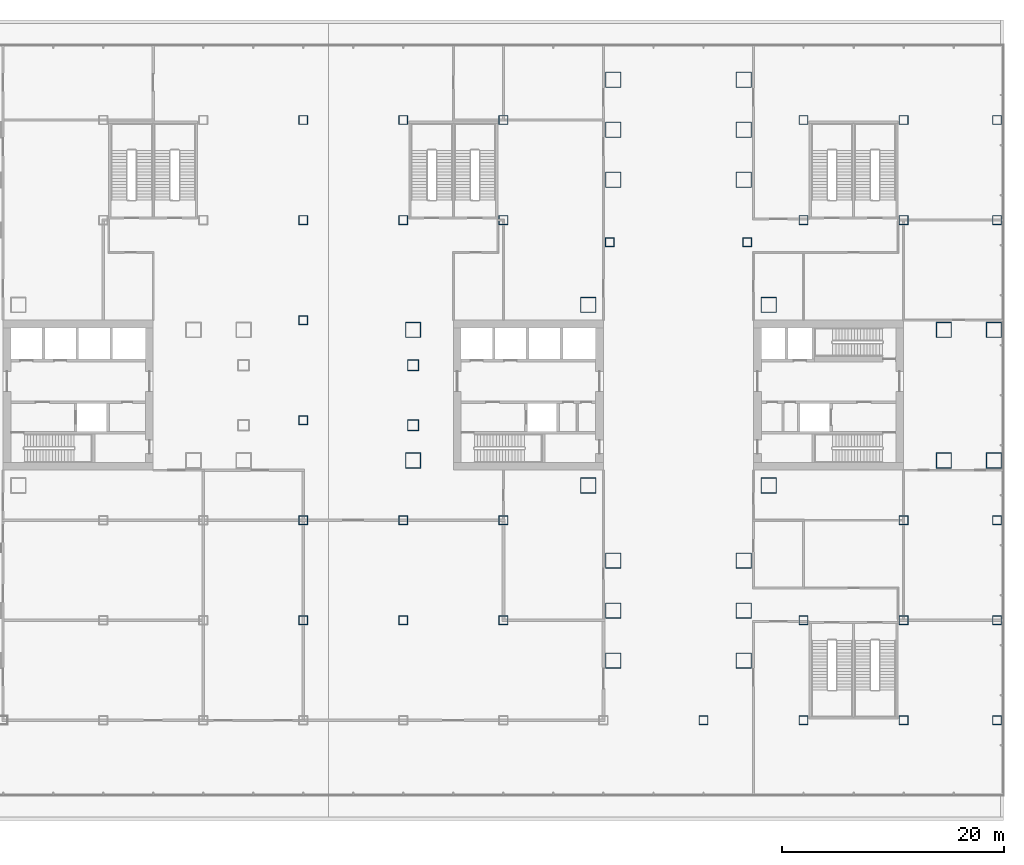
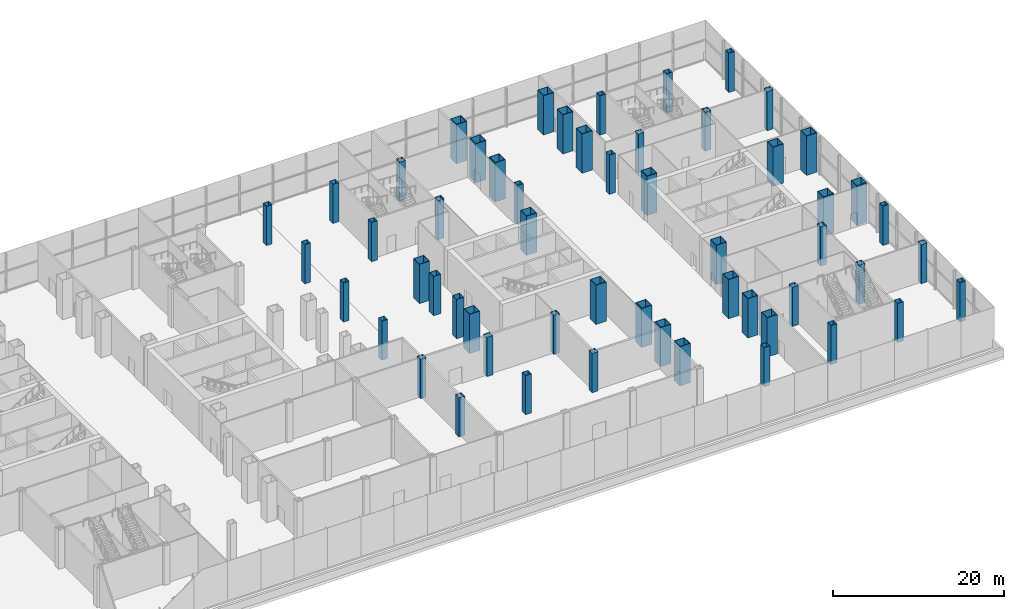
# One storey, part 2 of 38: 55 columns.
"""IFC4 building model written with IfcOpenShell, lengths in metres."""

from ifc_helpers import new_model, si_unit, direction, frame, origin, origin_2d, place, context, subcontext, project, spatial, hollow_rectangle, extrude, material, material_profile, profile_set, type_object, element, save


model = new_model("IFC4")

# Units and contexts
model_context = context("Model", 3, precision=1e-05, world=origin(), true_north=direction((0.0, 1.0)))
body_context = subcontext(model_context, "Body", "Model", "MODEL_VIEW")
ifc_project = project(units=[si_unit("LENGTHUNIT", "METRE"), si_unit("AREAUNIT", "SQUARE_METRE"), si_unit("VOLUMEUNIT", "CUBIC_METRE"), si_unit("PLANEANGLEUNIT", "RADIAN"), si_unit("MASSUNIT", "GRAM", prefix="KILO")], contexts=[model_context])

# Site, building, storey
site_placement = place(None, origin())
site = spatial("IfcSite", under=ifc_project, at=site_placement, CompositionType="ELEMENT")
building_placement = place(site_placement, origin())
building = spatial("IfcBuilding", under=site, at=building_placement, Name="Shamsa Quay Exchange Towers", CompositionType="ELEMENT")
storey_placement = place(building_placement, frame((0.0, 0.0, 12.5)))
storey = spatial("IfcBuildingStorey", under=building, at=storey_placement, Name="L02", CompositionType="ELEMENT", Elevation=12.5)

# Columns
ifc_material_1 = material(Name="Concrete-filled steel tube S355 / C80/95", Category="concrete")
ifc_material_profile_1 = material_profile(ifc_material_1, hollow_rectangle(XDim=1.39990234375, YDim=1.39990234375, WallThickness=0.06005859375, at=origin_2d()), Name="CFT 1400x1400x60")
ifc_profile_set_1 = profile_set([ifc_material_profile_1], Name="Concrete-filled steel tube S355 / C80/95")
column_type_1 = type_object("IfcColumnType", Name="Column CFT 1400x1400x60", PredefinedType="COLUMN", material=ifc_profile_set_1)
for number, where, name in (
    (1, (25.625, 8.125, 0.0), "Mega column T2-CM01"),
    (2, (41.875, 8.125, 0.0), "Mega column T2-CM02"),
    (3, (25.625, -8.125, 0.0), "Mega column T2-CM03"),
    (4, (41.875, -8.125, 0.0), "Mega column T2-CM04"),
    (5, (39.625, 19.375, 0.0), "Mega column T2-CM06"),
    (6, (39.625, 23.875, 0.0), "Mega column T2-CM07"),
    (7, (39.625, 28.375, 0.0), "Mega column T2-CM08"),
    (8, (27.875, 19.375, 0.0), "Mega column T2-CM10"),
    (9, (27.875, 23.875, 0.0), "Mega column T2-CM11"),
    (10, (27.875, 28.375, 0.0), "Mega column T2-CM12"),
    (11, (39.625, -14.875, 0.0), "Mega column T2-CM13"),
    (12, (39.625, -19.375, 0.0), "Mega column T2-CM14"),
    (13, (39.625, -23.875, 0.0), "Mega column T2-CM15"),
    (14, (27.875, -14.875, 0.0), "Mega column T2-CM16"),
    (15, (27.875, -19.375, 0.0), "Mega column T2-CM17"),
    (16, (27.875, -23.875, 0.0), "Mega column T2-CM18"),
    (17, (9.875, -5.875, 0.0), "Mega column T2-CM19"),
    (18, (9.875, 5.875, 0.0), "Mega column T2-CM20"),
    (19, (57.625, -5.875, 0.0), "Mega column T2-CM21"),
    (20, (62.125, -5.875, 0.0), "Mega column T2-CM22"),
    (21, (57.625, 5.875, 0.0), "Mega column T2-CM23"),
    (22, (62.125, 5.875, 0.0), "Mega column T2-CM24"),
):
    element("IfcColumn", number, at=place(storey_placement, frame(where)), inside=storey, type_object=column_type_1, Name=name, PredefinedType="COLUMN", context=body_context, shape_type="SweptSolid", body=[
        extrude(hollow_rectangle(XDim=1.39990234375, YDim=1.39990234375, WallThickness=0.06005859375, at=origin_2d()), origin(), (0.0, 0.0, 1.0), 5.60009765625),
    ])
ifc_material_2 = material(Name="Concrete-filled steel tube S355 / C60/75", Category="concrete")
ifc_material_profile_2 = material_profile(ifc_material_2, hollow_rectangle(XDim=0.800048828125, YDim=0.800048828125, WallThickness=0.030029296875, at=origin_2d()), Name="CFT 800x800x30")
ifc_profile_set_2 = profile_set([ifc_material_profile_2], Name="Concrete-filled steel tube S355 / C60/75")
column_type_2 = type_object("IfcColumnType", Name="Column CFT 800x800x30", PredefinedType="COLUMN", material=ifc_profile_set_2)
for number, where, name in (
    (23, (39.9375, 13.75, 0.0), "Perimeter column T2-CP05"),
    (24, (27.5625, 13.75, 0.0), "Perimeter column T2-CP09"),
    (25, (0.0, -20.25, 0.0), "Perimeter column PD-C+0000-0202"),
    (26, (0.0, -11.25, 0.0), "Perimeter column PD-C+0000-0112"),
    (27, (0.0, -2.25, 0.0), "Perimeter column PD-C+0000-0022"),
    (28, (0.0, 6.75, 0.0), "Perimeter column PD-C+0000+0068"),
    (29, (0.0, 15.75, 0.0), "Perimeter column PD-C+0000+0158"),
    (30, (0.0, 24.75, 0.0), "Perimeter column PD-C+0000+0248"),
    (31, (9.0, -20.25, 0.0), "Perimeter column PD-C+0090-0202"),
    (32, (9.0, -11.25, 0.0), "Perimeter column PD-C+0090-0112"),
    (33, (9.0, 15.75, 0.0), "Perimeter column PD-C+0090+0158"),
    (34, (9.0, 24.75, 0.0), "Perimeter column PD-C+0090+0248"),
    (35, (18.0, -20.25, 0.0), "Perimeter column PD-C+0180-0202"),
    (36, (18.0, -11.25, 0.0), "Perimeter column PD-C+0180-0112"),
    (37, (18.0, 15.75, 0.0), "Perimeter column PD-C+0180+0158"),
    (38, (18.0, 24.75, 0.0), "Perimeter column PD-C+0180+0248"),
    (39, (36.0, -29.25, 0.0), "Perimeter column PD-C+0360-0292"),
    (40, (45.0, -29.25, 0.0), "Perimeter column PD-C+0450-0292"),
    (41, (45.0, -20.25, 0.0), "Perimeter column PD-C+0450-0202"),
    (42, (45.0, 15.75, 0.0), "Perimeter column PD-C+0450+0158"),
    (43, (45.0, 24.75, 0.0), "Perimeter column PD-C+0450+0248"),
    (44, (54.0, -29.25, 0.0), "Perimeter column PD-C+0540-0292"),
    (45, (54.0, -20.25, 0.0), "Perimeter column PD-C+0540-0202"),
    (46, (54.0, -11.25, 0.0), "Perimeter column PD-C+0540-0112"),
    (47, (54.0, 15.75, 0.0), "Perimeter column PD-C+0540+0158"),
    (48, (54.0, 24.75, 0.0), "Perimeter column PD-C+0540+0248"),
    (49, (62.39990234375, -29.25, 0.0), "Perimeter column PD-C+0630-0292"),
    (50, (62.39990234375, -20.25, 0.0), "Perimeter column PD-C+0630-0202"),
    (51, (62.39990234375, -11.25, 0.0), "Perimeter column PD-C+0630-0112"),
    (52, (62.39990234375, 15.75, 0.0), "Perimeter column PD-C+0630+0158"),
    (53, (62.39990234375, 24.75, 0.0), "Perimeter column PD-C+0630+0248"),
):
    element("IfcColumn", number, at=place(storey_placement, frame(where)), inside=storey, type_object=column_type_2, Name=name, PredefinedType="COLUMN", context=body_context, shape_type="SweptSolid", body=[
        extrude(hollow_rectangle(XDim=0.800048828125, YDim=0.800048828125, WallThickness=0.030029296875, at=origin_2d()), origin(), (0.0, 0.0, 1.0), 5.60009765625),
    ])
ifc_material_3 = material(Name="Concrete-filled steel tube S355 / C70/85", Category="concrete")
ifc_material_profile_3 = material_profile(ifc_material_3, hollow_rectangle(XDim=1.0, YDim=1.0, WallThickness=0.0400390625, at=origin_2d()), Name="CFT 1000x1000x40")
ifc_profile_set_3 = profile_set([ifc_material_profile_3], Name="Concrete-filled steel tube S355 / C70/85")
column_type_3 = type_object("IfcColumnType", Name="Landing column CFT 1000x1000x40", PredefinedType="COLUMN", material=ifc_profile_set_3)
for number, where, name in (
    (54, (9.875, -2.699951171875, 0.0), "Landing column T2 S"),
    (55, (9.875, 2.699951171875, 0.0), "Landing column T2 N"),
):
    element("IfcColumn", number, at=place(storey_placement, frame(where)), inside=storey, type_object=column_type_3, Name=name, PredefinedType="COLUMN", context=body_context, shape_type="SweptSolid", body=[
        extrude(hollow_rectangle(XDim=1.0, YDim=1.0, WallThickness=0.0400390625, at=origin_2d()), origin(), (0.0, 0.0, 1.0), 5.60009765625),
    ])

save(model, "model.ifc")
